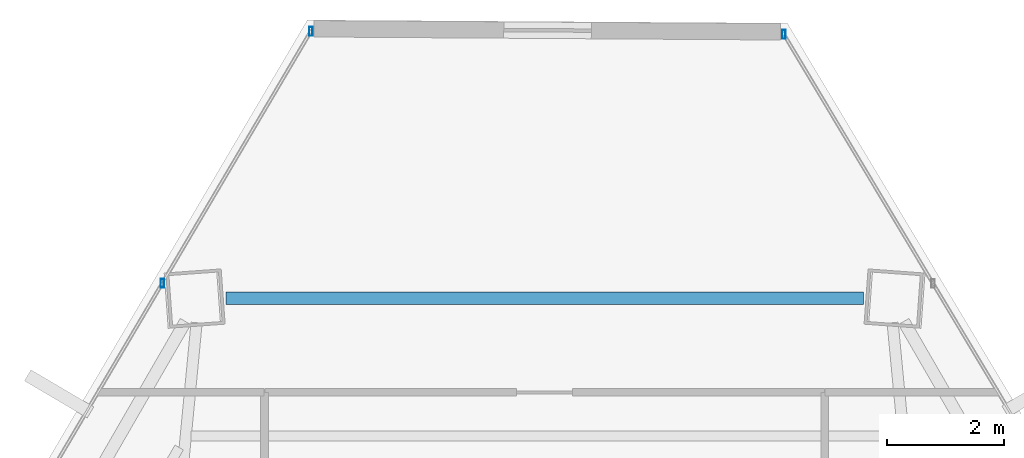
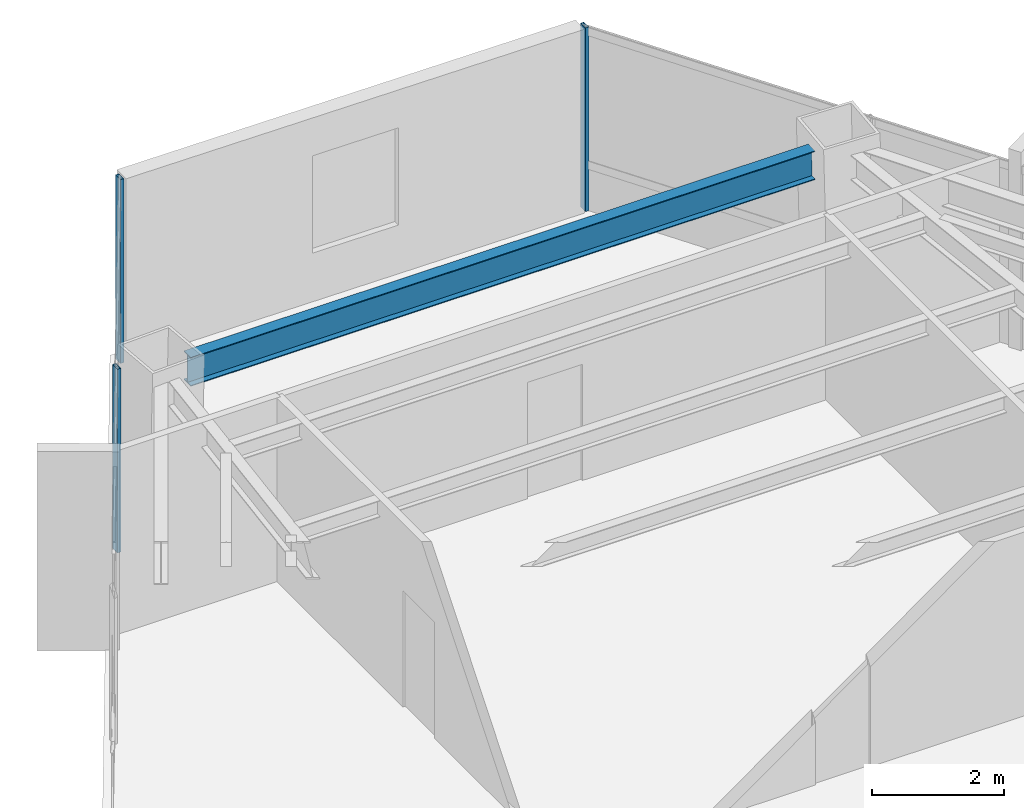
# One storey, part 29 of 41: 3 members, 1 beam, 2 elements without a shape of their own.
"""IFC4 building model written with IfcOpenShell, lengths in metres."""

from ifc_helpers import new_model, si_unit, direction, frame, origin, origin_2d, place, context, subcontext, project, spatial, hollow_rectangle, i_section, extrude, source, transform, mapped, material, material_profile, profile_set, type_object, type_shapes, element, aggregate, save


model = new_model("IFC4")

# Units and contexts
model_context = context("Model", 3, precision=1e-05, world=origin(), true_north=direction((0.0, 1.0)))
body_context = subcontext(model_context, "Body", "Model", "MODEL_VIEW")
ifc_project = project(units=[si_unit("LENGTHUNIT", "METRE"), si_unit("AREAUNIT", "SQUARE_METRE"), si_unit("VOLUMEUNIT", "CUBIC_METRE"), si_unit("PLANEANGLEUNIT", "RADIAN"), si_unit("MASSUNIT", "GRAM", prefix="KILO")], contexts=[model_context])

# Site, building, storey
site_placement = place(None, origin())
site = spatial("IfcSite", under=ifc_project, at=site_placement, CompositionType="ELEMENT")
building_placement = place(site_placement, origin())
building = spatial("IfcBuilding", under=site, at=building_placement, Name="Caelisora Broadcast Tower", CompositionType="ELEMENT")
storey_placement = place(building_placement, frame((0.0, 0.0, 165.800048828125)))
storey = spatial("IfcBuildingStorey", under=building, at=storey_placement, Name="L43", CompositionType="ELEMENT", Elevation=165.800048828125)

# Beam
ifc_material_1 = material(Name="Steel Grade 350 (AS/NZS 3679.1)", Category="steel")
ifc_material_profile_1 = material_profile(ifc_material_1, i_section(OverallWidth=0.208984375, OverallDepth=0.532958984375, WebThickness=0.01025390625, FlangeThickness=0.015625, at=origin_2d()), Name="Steel Grade 350 (AS/NZS 3679.1)")
ifc_profile_set_1 = profile_set([ifc_material_profile_1], Name="Steel Grade 350 (AS/NZS 3679.1)")
beam_type = type_object("IfcBeamType", Name="PG05", PredefinedType="BEAM", material=ifc_profile_set_1)
shared_shape_1 = source(origin(), body_context, "Body", "SweptSolid", [
    extrude(i_section(OverallWidth=0.208984375, OverallDepth=0.532958984375, WebThickness=0.01025390625, FlangeThickness=0.015625, at=origin_2d()), origin(), (0.0, 0.0, 1.0), 10.92578125),
])
type_shapes(beam_type, [shared_shape_1])
beam_placement = place(storey_placement, frame((43.462890625, 46.521484375, 3.133544921875), z_axis=(-1.0, 0.0, 0.0), x_axis=(0.0, -1.0, 0.0)))
element("IfcBeam", 1, at=beam_placement, inside=storey, type_object=beam_type, Name="L43 beam PG05", PredefinedType="BEAM", context=body_context, shape_type="MappedRepresentation", body=[
    mapped(shared_shape_1, transform((0.0, 0.0, 0.0), scale=1.0)),
])

# Curtain wall, member
ifc_material_2 = material(Name="Unitised Aluminium and Low-E Glass Curtain Wall", Category="glass")
curtain_wall_type = type_object("IfcCurtainWallType", Name="CW-Z3", PredefinedType="NOTDEFINED", material=ifc_material_2)
curtain_wall_1_placement = place(storey_placement, origin())
curtain_wall_1 = element("IfcCurtainWall", 2, at=curtain_wall_1_placement, inside=storey, type_object=curtain_wall_type, Name="L43 curtain wall CW-Z3", PredefinedType="NOTDEFINED")
ifc_material_3 = material(Name="Aluminium 6063-T6 Anodised Terracotta Bronze", Category="aluminium")
ifc_material_profile_2 = material_profile(ifc_material_3, hollow_rectangle(XDim=0.06005859375, YDim=0.14990234375, WallThickness=0.00341796875, at=origin_2d()), Name="Aluminium 6063-T6 Anodised Terracotta Bronze")
ifc_profile_set_2 = profile_set([ifc_material_profile_2], Name="Aluminium 6063-T6 Anodised Terracotta Bronze")
member_type = type_object("IfcMemberType", Name="CWM-03", PredefinedType="MULLION", material=ifc_profile_set_2)
shared_shape_2 = source(origin(), body_context, "Body", "SweptSolid", [
    extrude(hollow_rectangle(XDim=0.06005859375, YDim=0.14990234375, WallThickness=0.00341796875, at=origin_2d()), origin(), (0.0, 0.0, 1.0), 3.39990234375),
])
type_shapes(member_type, [shared_shape_2])
member_1_placement = place(storey_placement, frame((42.099609375, 51.044189453125, 0.0), z_axis=(0.0, 0.0, 1.0), x_axis=(1.0, 0.0, 0.0)))
member_1 = element("IfcMember", 3, at=member_1_placement, type_object=member_type, Name="L43-CW-B01 mullion #0", PredefinedType="MULLION", context=body_context, shape_type="MappedRepresentation", body=[
    mapped(shared_shape_2, transform((0.0, 0.0, 0.0), scale=1.0)),
])
aggregate(curtain_wall_1, [member_1])

# Curtain wall, members
curtain_wall_2_placement = place(storey_placement, origin())
curtain_wall_2 = element("IfcCurtainWall", 4, at=curtain_wall_2_placement, inside=storey, type_object=curtain_wall_type, Name="L43 curtain wall CW-Z3", PredefinedType="NOTDEFINED")
member_2_placement = place(storey_placement, frame((31.44970703125, 46.780517578125, 0.0), z_axis=(0.0, 0.0, 1.0), x_axis=(1.0, 0.0, 0.0)))
member_2 = element("IfcMember", 5, at=member_2_placement, type_object=member_type, Name="L43-CW-B11 mullion #2", PredefinedType="MULLION", context=body_context, shape_type="MappedRepresentation", body=[
    mapped(shared_shape_2, transform((0.0, 0.0, 0.0), scale=1.0)),
])
member_3_placement = place(storey_placement, frame((33.99462890625, 51.095947265625, 0.0), z_axis=(0.0, 0.0, 1.0), x_axis=(1.0, 0.0, 0.0)))
member_3 = element("IfcMember", 6, at=member_3_placement, type_object=member_type, Name="L43-CW-B11 mullion #3", PredefinedType="MULLION", context=body_context, shape_type="MappedRepresentation", body=[
    mapped(shared_shape_2, transform((0.0, 0.0, 0.0), scale=1.0)),
])
aggregate(curtain_wall_2, [member_2, member_3])

save(model, "model.ifc")
